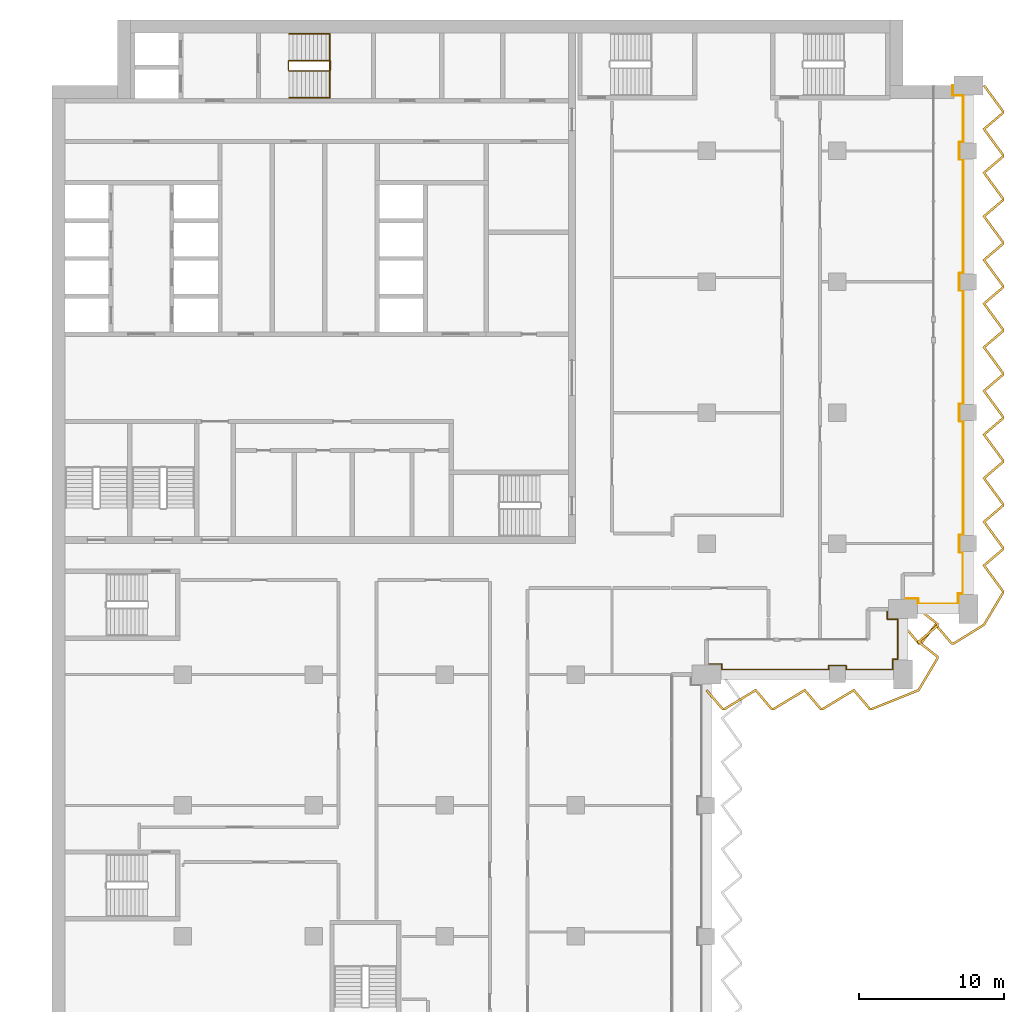
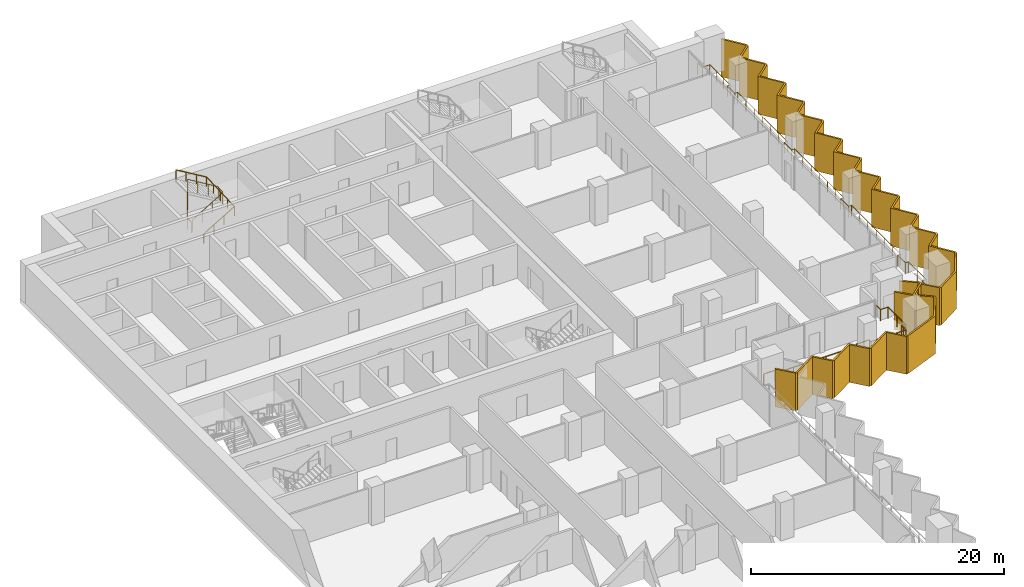
# One storey, part 22 of 23: 4 railings, 2 shading devices.
"""IFC4 building model written with IfcOpenShell, lengths in metres."""

from ifc_helpers import new_model, si_unit, direction, frame, origin, origin_2d, place, context, subcontext, project, spatial, polyline, circle, outline, extrude, material, layer, layer_set, type_object, element, save


model = new_model("IFC4")

# Units and contexts
model_context = context("Model", 3, precision=1e-05, world=origin(), true_north=direction((0.0, 1.0)))
body_context = subcontext(model_context, "Body", "Model", "MODEL_VIEW")
ifc_project = project(units=[si_unit("LENGTHUNIT", "METRE"), si_unit("AREAUNIT", "SQUARE_METRE"), si_unit("VOLUMEUNIT", "CUBIC_METRE"), si_unit("PLANEANGLEUNIT", "RADIAN"), si_unit("MASSUNIT", "GRAM", prefix="KILO")], contexts=[model_context])

# Site, building, storey
site_placement = place(None, origin())
site = spatial("IfcSite", under=ifc_project, at=site_placement, CompositionType="ELEMENT")
building_placement = place(site_placement, origin())
building = spatial("IfcBuilding", under=site, at=building_placement, Name="Hunhe Ridgeline Campus", CompositionType="ELEMENT")
storey_placement = place(building_placement, frame((0.0, 0.0, 152.300048828125)))
storey = spatial("IfcBuildingStorey", under=building, at=storey_placement, Name="L38", CompositionType="ELEMENT", Elevation=152.300048828125)

# Railings
ifc_material_1 = material(Name="Steel Q355", Category="steel")
railing_type_1 = type_object("IfcRailingType", Name="Loggia guard 1100 Steel Q355", PredefinedType="GUARDRAIL", material=ifc_material_1)
railing_1_placement = place(storey_placement, frame((45.0, 54.719970703125, 0.0)))
element("IfcRailing", 1, at=railing_1_placement, inside=storey, type_object=railing_type_1, Name="Loggia guard 2", PredefinedType="GUARDRAIL", context=body_context, shape_type="SweptSolid", body=[
    extrude(circle(Radius=0.02392578125, at=origin_2d()), frame((0.0, 0.0, 1.076171875), z_axis=(1.0, 0.0, 0.0), x_axis=(0.0, 1.0, 0.0)), (0.0, 0.0, 1.0), 1.050048828125),
    extrude(circle(Radius=0.02392578125, at=origin_2d()), frame((1.050048828125, 0.0, 1.076171875), z_axis=(0.0, -1.0, 0.0), x_axis=(1.0, 0.0, 0.0)), (0.0, 0.0, 1.0), 0.369873046875),
    extrude(circle(Radius=0.02392578125, at=origin_2d()), frame((1.050048828125, -0.369873046875, 1.076171875), z_axis=(1.0, 0.0, 0.0), x_axis=(0.0, 1.0, 0.0)), (0.0, 0.0, 1.0), 7.349853515625),
    extrude(circle(Radius=0.02392578125, at=origin_2d()), frame((8.39990234375, -0.369873046875, 1.076171875), z_axis=(0.0, 1.0, 0.0), x_axis=(-1.0, 0.0, 0.0)), (0.0, 0.0, 1.0), 0.27001953125),
    extrude(circle(Radius=0.02392578125, at=origin_2d()), frame((8.39990234375, -0.099853515625, 1.076171875), z_axis=(1.0, 0.0, 0.0), x_axis=(0.0, 1.0, 0.0)), (0.0, 0.0, 1.0), 1.2001953125),
    extrude(circle(Radius=0.02392578125, at=origin_2d()), frame((9.60009765625, -0.099853515625, 1.076171875), z_axis=(0.0, -1.0, 0.0), x_axis=(1.0, 0.0, 0.0)), (0.0, 0.0, 1.0), 0.27001953125),
    extrude(circle(Radius=0.02392578125, at=origin_2d()), frame((9.60009765625, -0.369873046875, 1.076171875), z_axis=(1.0, 0.0, 0.0), x_axis=(0.0, 1.0, 0.0)), (0.0, 0.0, 1.0), 3.199951171875),
    extrude(circle(Radius=0.02392578125, at=origin_2d()), frame((12.800048828125, -0.369873046875, 1.076171875), z_axis=(0.0, 1.0, 0.0), x_axis=(-1.0, 0.0, 0.0)), (0.0, 0.0, 1.0), 0.719970703125),
    extrude(circle(Radius=0.02392578125, at=origin_2d()), frame((12.800048828125, 0.35009765625, 1.076171875), z_axis=(-0.057089444596, -0.998369067688, 0.0), x_axis=(0.998369067688, -0.057089444596, 0.0)), (0.0, 0.0, 1.0), 0.3505859375),
    extrude(circle(Radius=0.02392578125, at=origin_2d()), frame((12.780029296875, 0.0, 1.076171875), z_axis=(0.0, 1.0, 0.0), x_axis=(-1.0, 0.0, 0.0)), (0.0, 0.0, 1.0), 0.330078125),
    extrude(circle(Radius=0.02392578125, at=origin_2d()), frame((12.780029296875, 0.330078125, 1.076171875), z_axis=(1.0, 0.0, 0.0), x_axis=(0.0, 1.0, 0.0)), (0.0, 0.0, 1.0), 0.369873046875),
    extrude(circle(Radius=0.02392578125, at=origin_2d()), frame((13.14990234375, 0.330078125, 1.076171875), z_axis=(0.0, 1.0, 0.0), x_axis=(-1.0, 0.0, 0.0)), (0.0, 0.0, 1.0), 2.75),
    extrude(circle(Radius=0.02392578125, at=origin_2d()), frame((13.14990234375, 3.080078125, 1.076171875), z_axis=(-1.0, 0.0, 0.0), x_axis=(0.0, -1.0, 0.0)), (0.0, 0.0, 1.0), 0.719970703125),
    extrude(circle(Radius=0.02392578125, at=origin_2d()), frame((12.429931640625, 3.080078125, 1.076171875), z_axis=(0.0, 1.0, 0.0), x_axis=(-1.0, 0.0, 0.0)), (0.0, 0.0, 1.0), 0.699951171875),
    extrude(circle(Radius=0.02099609375, at=origin_2d()), origin(), (0.0, 0.0, 1.0), 1.052001953125),
    extrude(circle(Radius=0.02099609375, at=origin_2d()), frame((1.050048828125, 0.0, 0.0)), (0.0, 0.0, 1.0), 1.052001953125),
    extrude(circle(Radius=0.02099609375, at=origin_2d()), frame((1.050048828125, -0.369873046875, 0.0)), (0.0, 0.0, 1.0), 1.052001953125),
    extrude(circle(Radius=0.02099609375, at=origin_2d()), frame((2.52001953125, -0.369873046875, 0.0)), (0.0, 0.0, 1.0), 1.052001953125),
    extrude(circle(Radius=0.02099609375, at=origin_2d()), frame((3.989990234375, -0.369873046875, 0.0)), (0.0, 0.0, 1.0), 1.052001953125),
    extrude(circle(Radius=0.02099609375, at=origin_2d()), frame((5.4599609375, -0.369873046875, 0.0)), (0.0, 0.0, 1.0), 1.052001953125),
    extrude(circle(Radius=0.02099609375, at=origin_2d()), frame((6.929931640625, -0.369873046875, 0.0)), (0.0, 0.0, 1.0), 1.052001953125),
    extrude(circle(Radius=0.02099609375, at=origin_2d()), frame((8.39990234375, -0.369873046875, 0.0)), (0.0, 0.0, 1.0), 1.052001953125),
    extrude(circle(Radius=0.02099609375, at=origin_2d()), frame((8.39990234375, -0.099853515625, 0.0)), (0.0, 0.0, 1.0), 1.052001953125),
    extrude(circle(Radius=0.02099609375, at=origin_2d()), frame((9.60009765625, -0.099853515625, 0.0)), (0.0, 0.0, 1.0), 1.052001953125),
    extrude(circle(Radius=0.02099609375, at=origin_2d()), frame((9.60009765625, -0.369873046875, 0.0)), (0.0, 0.0, 1.0), 1.052001953125),
    extrude(circle(Radius=0.02099609375, at=origin_2d()), frame((10.666748046875, -0.369873046875, 0.0)), (0.0, 0.0, 1.0), 1.052001953125),
    extrude(circle(Radius=0.02099609375, at=origin_2d()), frame((11.7333984375, -0.369873046875, 0.0)), (0.0, 0.0, 1.0), 1.052001953125),
    extrude(circle(Radius=0.02099609375, at=origin_2d()), frame((12.800048828125, -0.369873046875, 0.0)), (0.0, 0.0, 1.0), 1.052001953125),
    extrude(circle(Radius=0.02099609375, at=origin_2d()), frame((12.800048828125, 0.35009765625, 0.0)), (0.0, 0.0, 1.0), 1.052001953125),
    extrude(circle(Radius=0.02099609375, at=origin_2d()), frame((12.780029296875, 0.0, 0.0)), (0.0, 0.0, 1.0), 1.052001953125),
    extrude(circle(Radius=0.02099609375, at=origin_2d()), frame((12.780029296875, 0.330078125, 0.0)), (0.0, 0.0, 1.0), 1.052001953125),
    extrude(circle(Radius=0.02099609375, at=origin_2d()), frame((13.14990234375, 0.330078125, 0.0)), (0.0, 0.0, 1.0), 1.052001953125),
    extrude(circle(Radius=0.02099609375, at=origin_2d()), frame((13.14990234375, 1.705078125, 0.0)), (0.0, 0.0, 1.0), 1.052001953125),
    extrude(circle(Radius=0.02099609375, at=origin_2d()), frame((13.14990234375, 3.080078125, 0.0)), (0.0, 0.0, 1.0), 1.052001953125),
    extrude(circle(Radius=0.02099609375, at=origin_2d()), frame((12.429931640625, 3.080078125, 0.0)), (0.0, 0.0, 1.0), 1.052001953125),
    extrude(circle(Radius=0.02099609375, at=origin_2d()), frame((12.429931640625, 3.780029296875, 0.0)), (0.0, 0.0, 1.0), 1.052001953125),
])
railing_2_placement = place(storey_placement, frame((58.5, 59.219970703125, 0.0)))
element("IfcRailing", 2, at=railing_2_placement, inside=storey, type_object=railing_type_1, Name="Loggia guard 3", PredefinedType="GUARDRAIL", context=body_context, shape_type="SweptSolid", body=[
    extrude(circle(Radius=0.02392578125, at=origin_2d()), frame((0.0, 0.0, 1.076171875), z_axis=(1.0, 0.0, 0.0), x_axis=(0.0, 1.0, 0.0)), (0.0, 0.0, 1.0), 1.050048828125),
    extrude(circle(Radius=0.02392578125, at=origin_2d()), frame((1.050048828125, 0.0, 1.076171875), z_axis=(0.0, -1.0, 0.0), x_axis=(1.0, 0.0, 0.0)), (0.0, 0.0, 1.0), 0.369873046875),
    extrude(circle(Radius=0.02392578125, at=origin_2d()), frame((1.050048828125, -0.369873046875, 1.076171875), z_axis=(1.0, 0.0, 0.0), x_axis=(0.0, 1.0, 0.0)), (0.0, 0.0, 1.0), 2.75),
    extrude(circle(Radius=0.02392578125, at=origin_2d()), frame((3.800048828125, -0.369873046875, 1.076171875), z_axis=(0.0, 1.0, 0.0), x_axis=(-1.0, 0.0, 0.0)), (0.0, 0.0, 1.0), 0.719970703125),
    extrude(circle(Radius=0.02392578125, at=origin_2d()), frame((3.800048828125, 0.35009765625, 1.076171875), z_axis=(-0.057089444596, -0.998369067688, 0.0), x_axis=(0.998369067688, -0.057089444596, 0.0)), (0.0, 0.0, 1.0), 0.3505859375),
    extrude(circle(Radius=0.02392578125, at=origin_2d()), frame((3.780029296875, 0.0, 1.076171875), z_axis=(0.0, 1.0, 0.0), x_axis=(-1.0, 0.0, 0.0)), (0.0, 0.0, 1.0), 0.330078125),
    extrude(circle(Radius=0.02392578125, at=origin_2d()), frame((3.780029296875, 0.330078125, 1.076171875), z_axis=(1.0, 0.0, 0.0), x_axis=(0.0, 1.0, 0.0)), (0.0, 0.0, 1.0), 0.369873046875),
    extrude(circle(Radius=0.02392578125, at=origin_2d()), frame((4.14990234375, 0.330078125, 1.076171875), z_axis=(0.0, 1.0, 0.0), x_axis=(-1.0, 0.0, 0.0)), (0.0, 0.0, 1.0), 2.849853515625),
    extrude(circle(Radius=0.02392578125, at=origin_2d()), frame((4.14990234375, 3.179931640625, 1.076171875), z_axis=(-1.0, 0.0, 0.0), x_axis=(0.0, -1.0, 0.0)), (0.0, 0.0, 1.0), 0.27001953125),
    extrude(circle(Radius=0.02392578125, at=origin_2d()), frame((3.8798828125, 3.179931640625, 1.076171875), z_axis=(0.0, 1.0, 0.0), x_axis=(-1.0, 0.0, 0.0)), (0.0, 0.0, 1.0), 1.2001953125),
    extrude(circle(Radius=0.02392578125, at=origin_2d()), frame((3.8798828125, 4.380126953125, 1.076171875), z_axis=(1.0, 0.0, 0.0), x_axis=(0.0, 1.0, 0.0)), (0.0, 0.0, 1.0), 0.27001953125),
    extrude(circle(Radius=0.02392578125, at=origin_2d()), frame((4.14990234375, 4.380126953125, 1.076171875), z_axis=(0.0, 1.0, 0.0), x_axis=(-1.0, 0.0, 0.0)), (0.0, 0.0, 1.0), 7.7998046875),
    extrude(circle(Radius=0.02392578125, at=origin_2d()), frame((4.14990234375, 12.179931640625, 1.076171875), z_axis=(-1.0, 0.0, 0.0), x_axis=(0.0, -1.0, 0.0)), (0.0, 0.0, 1.0), 0.27001953125),
    extrude(circle(Radius=0.02392578125, at=origin_2d()), frame((3.8798828125, 12.179931640625, 1.076171875), z_axis=(0.0, 1.0, 0.0), x_axis=(-1.0, 0.0, 0.0)), (0.0, 0.0, 1.0), 1.2001953125),
    extrude(circle(Radius=0.02392578125, at=origin_2d()), frame((3.8798828125, 13.380126953125, 1.076171875), z_axis=(1.0, 0.0, 0.0), x_axis=(0.0, 1.0, 0.0)), (0.0, 0.0, 1.0), 0.27001953125),
    extrude(circle(Radius=0.02392578125, at=origin_2d()), frame((4.14990234375, 13.380126953125, 1.076171875), z_axis=(0.0, 1.0, 0.0), x_axis=(-1.0, 0.0, 0.0)), (0.0, 0.0, 1.0), 7.7998046875),
    extrude(circle(Radius=0.02392578125, at=origin_2d()), frame((4.14990234375, 21.179931640625, 1.076171875), z_axis=(-1.0, 0.0, 0.0), x_axis=(0.0, -1.0, 0.0)), (0.0, 0.0, 1.0), 0.27001953125),
    extrude(circle(Radius=0.02392578125, at=origin_2d()), frame((3.8798828125, 21.179931640625, 1.076171875), z_axis=(0.0, 1.0, 0.0), x_axis=(-1.0, 0.0, 0.0)), (0.0, 0.0, 1.0), 1.2001953125),
    extrude(circle(Radius=0.02392578125, at=origin_2d()), frame((3.8798828125, 22.380126953125, 1.076171875), z_axis=(1.0, 0.0, 0.0), x_axis=(0.0, 1.0, 0.0)), (0.0, 0.0, 1.0), 0.27001953125),
    extrude(circle(Radius=0.02392578125, at=origin_2d()), frame((4.14990234375, 22.380126953125, 1.076171875), z_axis=(0.0, 1.0, 0.0), x_axis=(-1.0, 0.0, 0.0)), (0.0, 0.0, 1.0), 7.7998046875),
    extrude(circle(Radius=0.02392578125, at=origin_2d()), frame((4.14990234375, 30.179931640625, 1.076171875), z_axis=(-1.0, 0.0, 0.0), x_axis=(0.0, -1.0, 0.0)), (0.0, 0.0, 1.0), 0.27001953125),
    extrude(circle(Radius=0.02392578125, at=origin_2d()), frame((3.8798828125, 30.179931640625, 1.076171875), z_axis=(0.0, 1.0, 0.0), x_axis=(-1.0, 0.0, 0.0)), (0.0, 0.0, 1.0), 1.2001953125),
    extrude(circle(Radius=0.02392578125, at=origin_2d()), frame((3.8798828125, 31.380126953125, 1.076171875), z_axis=(1.0, 0.0, 0.0), x_axis=(0.0, 1.0, 0.0)), (0.0, 0.0, 1.0), 0.27001953125),
    extrude(circle(Radius=0.02392578125, at=origin_2d()), frame((4.14990234375, 31.380126953125, 1.076171875), z_axis=(0.0, 1.0, 0.0), x_axis=(-1.0, 0.0, 0.0)), (0.0, 0.0, 1.0), 3.199951171875),
    extrude(circle(Radius=0.02392578125, at=origin_2d()), frame((4.14990234375, 34.580078125, 1.076171875), z_axis=(-1.0, 0.0, 0.0), x_axis=(0.0, -1.0, 0.0)), (0.0, 0.0, 1.0), 0.719970703125),
    extrude(circle(Radius=0.02392578125, at=origin_2d()), frame((3.429931640625, 34.580078125, 1.076171875), z_axis=(0.0, 1.0, 0.0), x_axis=(-1.0, 0.0, 0.0)), (0.0, 0.0, 1.0), 0.699951171875),
    extrude(circle(Radius=0.02099609375, at=origin_2d()), origin(), (0.0, 0.0, 1.0), 1.052001953125),
    extrude(circle(Radius=0.02099609375, at=origin_2d()), frame((1.050048828125, 0.0, 0.0)), (0.0, 0.0, 1.0), 1.052001953125),
    extrude(circle(Radius=0.02099609375, at=origin_2d()), frame((1.050048828125, -0.369873046875, 0.0)), (0.0, 0.0, 1.0), 1.052001953125),
    extrude(circle(Radius=0.02099609375, at=origin_2d()), frame((2.425048828125, -0.369873046875, 0.0)), (0.0, 0.0, 1.0), 1.052001953125),
    extrude(circle(Radius=0.02099609375, at=origin_2d()), frame((3.800048828125, -0.369873046875, 0.0)), (0.0, 0.0, 1.0), 1.052001953125),
    extrude(circle(Radius=0.02099609375, at=origin_2d()), frame((3.800048828125, 0.35009765625, 0.0)), (0.0, 0.0, 1.0), 1.052001953125),
    extrude(circle(Radius=0.02099609375, at=origin_2d()), frame((3.780029296875, 0.0, 0.0)), (0.0, 0.0, 1.0), 1.052001953125),
    extrude(circle(Radius=0.02099609375, at=origin_2d()), frame((3.780029296875, 0.330078125, 0.0)), (0.0, 0.0, 1.0), 1.052001953125),
    extrude(circle(Radius=0.02099609375, at=origin_2d()), frame((4.14990234375, 0.330078125, 0.0)), (0.0, 0.0, 1.0), 1.052001953125),
    extrude(circle(Radius=0.02099609375, at=origin_2d()), frame((4.14990234375, 1.7548828125, 0.0)), (0.0, 0.0, 1.0), 1.052001953125),
    extrude(circle(Radius=0.02099609375, at=origin_2d()), frame((4.14990234375, 3.179931640625, 0.0)), (0.0, 0.0, 1.0), 1.052001953125),
    extrude(circle(Radius=0.02099609375, at=origin_2d()), frame((3.8798828125, 3.179931640625, 0.0)), (0.0, 0.0, 1.0), 1.052001953125),
    extrude(circle(Radius=0.02099609375, at=origin_2d()), frame((3.8798828125, 4.380126953125, 0.0)), (0.0, 0.0, 1.0), 1.052001953125),
    extrude(circle(Radius=0.02099609375, at=origin_2d()), frame((4.14990234375, 4.380126953125, 0.0)), (0.0, 0.0, 1.0), 1.052001953125),
    extrude(circle(Radius=0.02099609375, at=origin_2d()), frame((4.14990234375, 5.68017578125, 0.0)), (0.0, 0.0, 1.0), 1.052001953125),
    extrude(circle(Radius=0.02099609375, at=origin_2d()), frame((4.14990234375, 6.97998046875, 0.0)), (0.0, 0.0, 1.0), 1.052001953125),
    extrude(circle(Radius=0.02099609375, at=origin_2d()), frame((4.14990234375, 8.280029296875, 0.0)), (0.0, 0.0, 1.0), 1.052001953125),
    extrude(circle(Radius=0.02099609375, at=origin_2d()), frame((4.14990234375, 9.580078125, 0.0)), (0.0, 0.0, 1.0), 1.052001953125),
    extrude(circle(Radius=0.02099609375, at=origin_2d()), frame((4.14990234375, 10.8798828125, 0.0)), (0.0, 0.0, 1.0), 1.052001953125),
    extrude(circle(Radius=0.02099609375, at=origin_2d()), frame((4.14990234375, 12.179931640625, 0.0)), (0.0, 0.0, 1.0), 1.052001953125),
    extrude(circle(Radius=0.02099609375, at=origin_2d()), frame((3.8798828125, 12.179931640625, 0.0)), (0.0, 0.0, 1.0), 1.052001953125),
    extrude(circle(Radius=0.02099609375, at=origin_2d()), frame((3.8798828125, 13.380126953125, 0.0)), (0.0, 0.0, 1.0), 1.052001953125),
    extrude(circle(Radius=0.02099609375, at=origin_2d()), frame((4.14990234375, 13.380126953125, 0.0)), (0.0, 0.0, 1.0), 1.052001953125),
    extrude(circle(Radius=0.02099609375, at=origin_2d()), frame((4.14990234375, 14.68017578125, 0.0)), (0.0, 0.0, 1.0), 1.052001953125),
    extrude(circle(Radius=0.02099609375, at=origin_2d()), frame((4.14990234375, 15.97998046875, 0.0)), (0.0, 0.0, 1.0), 1.052001953125),
    extrude(circle(Radius=0.02099609375, at=origin_2d()), frame((4.14990234375, 17.280029296875, 0.0)), (0.0, 0.0, 1.0), 1.052001953125),
    extrude(circle(Radius=0.02099609375, at=origin_2d()), frame((4.14990234375, 18.580078125, 0.0)), (0.0, 0.0, 1.0), 1.052001953125),
    extrude(circle(Radius=0.02099609375, at=origin_2d()), frame((4.14990234375, 19.8798828125, 0.0)), (0.0, 0.0, 1.0), 1.052001953125),
    extrude(circle(Radius=0.02099609375, at=origin_2d()), frame((4.14990234375, 21.179931640625, 0.0)), (0.0, 0.0, 1.0), 1.052001953125),
    extrude(circle(Radius=0.02099609375, at=origin_2d()), frame((3.8798828125, 21.179931640625, 0.0)), (0.0, 0.0, 1.0), 1.052001953125),
    extrude(circle(Radius=0.02099609375, at=origin_2d()), frame((3.8798828125, 22.380126953125, 0.0)), (0.0, 0.0, 1.0), 1.052001953125),
    extrude(circle(Radius=0.02099609375, at=origin_2d()), frame((4.14990234375, 22.380126953125, 0.0)), (0.0, 0.0, 1.0), 1.052001953125),
    extrude(circle(Radius=0.02099609375, at=origin_2d()), frame((4.14990234375, 23.68017578125, 0.0)), (0.0, 0.0, 1.0), 1.052001953125),
    extrude(circle(Radius=0.02099609375, at=origin_2d()), frame((4.14990234375, 24.97998046875, 0.0)), (0.0, 0.0, 1.0), 1.052001953125),
    extrude(circle(Radius=0.02099609375, at=origin_2d()), frame((4.14990234375, 26.280029296875, 0.0)), (0.0, 0.0, 1.0), 1.052001953125),
    extrude(circle(Radius=0.02099609375, at=origin_2d()), frame((4.14990234375, 27.580078125, 0.0)), (0.0, 0.0, 1.0), 1.052001953125),
    extrude(circle(Radius=0.02099609375, at=origin_2d()), frame((4.14990234375, 28.8798828125, 0.0)), (0.0, 0.0, 1.0), 1.052001953125),
    extrude(circle(Radius=0.02099609375, at=origin_2d()), frame((4.14990234375, 30.179931640625, 0.0)), (0.0, 0.0, 1.0), 1.052001953125),
    extrude(circle(Radius=0.02099609375, at=origin_2d()), frame((3.8798828125, 30.179931640625, 0.0)), (0.0, 0.0, 1.0), 1.052001953125),
    extrude(circle(Radius=0.02099609375, at=origin_2d()), frame((3.8798828125, 31.380126953125, 0.0)), (0.0, 0.0, 1.0), 1.052001953125),
    extrude(circle(Radius=0.02099609375, at=origin_2d()), frame((4.14990234375, 31.380126953125, 0.0)), (0.0, 0.0, 1.0), 1.052001953125),
    extrude(circle(Radius=0.02099609375, at=origin_2d()), frame((4.14990234375, 32.44677734375, 0.0)), (0.0, 0.0, 1.0), 1.052001953125),
    extrude(circle(Radius=0.02099609375, at=origin_2d()), frame((4.14990234375, 33.513427734375, 0.0)), (0.0, 0.0, 1.0), 1.052001953125),
    extrude(circle(Radius=0.02099609375, at=origin_2d()), frame((4.14990234375, 34.580078125, 0.0)), (0.0, 0.0, 1.0), 1.052001953125),
    extrude(circle(Radius=0.02099609375, at=origin_2d()), frame((3.429931640625, 34.580078125, 0.0)), (0.0, 0.0, 1.0), 1.052001953125),
    extrude(circle(Radius=0.02099609375, at=origin_2d()), frame((3.429931640625, 35.280029296875, 0.0)), (0.0, 0.0, 1.0), 1.052001953125),
])

# Shading devices
ifc_material_2 = material(Name="Concrete C50", Category="concrete")
ifc_layer = layer(ifc_material_2, 0.14990234375)
ifc_layer_set = layer_set([ifc_layer], Name="Sawtooth concrete fin 150 Concrete C50")
shading_device_type = type_object("IfcShadingDeviceType", Name="Sawtooth concrete fin 150 Concrete C50", PredefinedType="USERDEFINED", material=ifc_layer_set)
shading_device_1_placement = place(storey_placement, frame((0.0, 0.0, -0.949951171875)))
element("IfcShadingDevice", 3, at=shading_device_1_placement, inside=storey, type_object=shading_device_type, Name="Concrete fin screen 2", ObjectType="FIN", PredefinedType="USERDEFINED", context=body_context, shape_type="SweptSolid", body=[
    extrude(outline(polyline([(45.05712890625, 52.9736328125), (44.94287109375, 52.876220703125), (46.07470703125, 51.550048828125), (46.250244140625, 51.550048828125), (48.359375, 52.827880859375), (49.44970703125, 51.550048828125), (49.625244140625, 51.550048828125), (51.734375, 52.827880859375), (52.82470703125, 51.550048828125), (53.000244140625, 51.550048828125), (55.109375, 52.827880859375), (56.19970703125, 51.550048828125), (56.368896484375, 51.550048828125), (59.62646484375, 52.864990234375), (60.949951171875, 55.088623046875), (60.949951171875, 55.265869140625), (59.693359375, 56.25244140625), (60.949951171875, 57.32470703125), (60.949951171875, 57.515869140625), (59.621337890625, 58.55908203125), (59.528564453125, 58.44091796875), (60.800048828125, 57.44287109375), (60.800048828125, 57.393798828125), (59.45654296875, 56.24755859375), (60.800048828125, 55.19287109375), (60.800048828125, 55.1298828125), (59.5234375, 52.985107421875), (56.33984375, 51.699951171875), (56.268798828125, 51.699951171875), (55.140625, 53.022216796875), (52.95849609375, 51.699951171875), (52.893798828125, 51.699951171875), (51.765625, 53.022216796875), (49.58349609375, 51.699951171875), (49.518798828125, 51.699951171875), (48.390625, 53.022216796875), (46.20849609375, 51.699951171875), (46.143798828125, 51.699951171875), (45.05712890625, 52.9736328125)])), origin(), (0.0, 0.0, 1.0), 3.64990234375),
])
shading_device_2_placement = place(storey_placement, frame((0.0, 0.0, -0.949951171875)))
element("IfcShadingDevice", 4, at=shading_device_2_placement, inside=storey, type_object=shading_device_type, Name="Concrete fin screen 3", ObjectType="FIN", PredefinedType="USERDEFINED", context=body_context, shape_type="SweptSolid", body=[
    extrude(outline(polyline([(58.55712890625, 57.4736328125), (58.44287109375, 57.376220703125), (59.57470703125, 56.050048828125), (59.765869140625, 56.050048828125), (60.75244140625, 57.306640625), (61.82470703125, 56.050048828125), (62.000732421875, 56.050048828125), (64.130126953125, 57.370849609375), (65.449951171875, 59.588623046875), (65.449951171875, 59.75390625), (64.1767578125, 61.48828125), (65.449951171875, 62.57470703125), (65.449951171875, 62.75390625), (64.1767578125, 64.48828125), (65.449951171875, 65.57470703125), (65.449951171875, 65.75390625), (64.1767578125, 67.48828125), (65.449951171875, 68.57470703125), (65.449951171875, 68.75390625), (64.1767578125, 70.48828125), (65.449951171875, 71.57470703125), (65.449951171875, 71.75390625), (64.1767578125, 73.48828125), (65.449951171875, 74.57470703125), (65.449951171875, 74.75390625), (64.1767578125, 76.48828125), (65.449951171875, 77.57470703125), (65.449951171875, 77.75390625), (64.1767578125, 79.48828125), (65.449951171875, 80.57470703125), (65.449951171875, 80.75390625), (64.1767578125, 82.48828125), (65.449951171875, 83.57470703125), (65.449951171875, 83.75390625), (64.1767578125, 85.48828125), (65.449951171875, 86.57470703125), (65.449951171875, 86.75390625), (64.1767578125, 88.48828125), (65.449951171875, 89.57470703125), (65.449951171875, 89.75390625), (64.1767578125, 91.48828125), (65.449951171875, 92.57470703125), (65.449951171875, 92.75390625), (64.135498046875, 94.54443359375), (64.0146484375, 94.45556640625), (65.300048828125, 92.704833984375), (65.300048828125, 92.643798828125), (63.973388671875, 91.51171875), (65.300048828125, 89.704833984375), (65.300048828125, 89.643798828125), (63.973388671875, 88.51171875), (65.300048828125, 86.704833984375), (65.300048828125, 86.643798828125), (63.973388671875, 85.51171875), (65.300048828125, 83.704833984375), (65.300048828125, 83.643798828125), (63.973388671875, 82.51171875), (65.300048828125, 80.704833984375), (65.300048828125, 80.643798828125), (63.973388671875, 79.51171875), (65.300048828125, 77.704833984375), (65.300048828125, 77.643798828125), (63.973388671875, 76.51171875), (65.300048828125, 74.704833984375), (65.300048828125, 74.643798828125), (63.973388671875, 73.51171875), (65.300048828125, 71.704833984375), (65.300048828125, 71.643798828125), (63.973388671875, 70.51171875), (65.300048828125, 68.704833984375), (65.300048828125, 68.643798828125), (63.973388671875, 67.51171875), (65.300048828125, 65.704833984375), (65.300048828125, 65.643798828125), (63.973388671875, 64.51171875), (65.300048828125, 62.704833984375), (65.300048828125, 62.643798828125), (63.973388671875, 61.51171875), (65.300048828125, 59.704833984375), (65.300048828125, 59.6298828125), (64.02001953125, 57.47900390625), (61.9580078125, 56.199951171875), (61.893798828125, 56.199951171875), (60.74755859375, 57.54345703125), (59.69287109375, 56.199951171875), (59.643798828125, 56.199951171875), (58.55712890625, 57.4736328125)])), origin(), (0.0, 0.0, 1.0), 3.64990234375),
])

# Railings
ifc_material_3 = material(Name="Stainless steel balustrade", Category="steel")
railing_type_2 = type_object("IfcRailingType", Name="Stair guard 1100 stainless", PredefinedType="GUARDRAIL", material=ifc_material_3)
railing_3_placement = place(storey_placement, frame((16.300048828125, 95.5, 0.168212890625)))
element("IfcRailing", 5, at=railing_3_placement, inside=storey, type_object=railing_type_2, Name="L38 stair S1 guard", PredefinedType="GUARDRAIL", context=body_context, shape_type="SweptSolid", body=[
    extrude(circle(Radius=0.02392578125, at=origin_2d()), frame((0.0, 0.0, 1.076171875), z_axis=(0.857275202839, 0.0, 0.514858452973), x_axis=(0.0, 1.0, 0.0)), (0.0, 0.0, 1.0), 3.26611328125),
    extrude(circle(Radius=0.02392578125, at=origin_2d()), frame((2.800048828125, 0.0, 2.7578125), z_axis=(0.705375805398, 0.708833529934, 0.0), x_axis=(-0.708833529934, 0.705375805398, 0.0)), (0.0, 0.0, 1.0), 0.070556640625),
    extrude(circle(Radius=0.02392578125, at=origin_2d()), frame((2.849853515625, 0.050048828125, 2.7578125), z_axis=(0.0, 1.0, 0.0), x_axis=(-1.0, 0.0, 0.0)), (0.0, 0.0, 1.0), 0.599853515625),
    extrude(circle(Radius=0.02392578125, at=origin_2d()), frame((2.849853515625, 0.64990234375, 2.7578125), z_axis=(-0.273006030465, 0.27434429532, 0.922064485248), x_axis=(-0.708833529934, -0.705375805398, 0.0)), (0.0, 0.0, 1.0), 0.182373046875),
    extrude(circle(Radius=0.02392578125, at=origin_2d()), frame((2.800048828125, 0.699951171875, 2.92578125), z_axis=(-0.857242210791, 0.0, 0.514913383045), x_axis=(0.0, -1.0, 0.0)), (0.0, 0.0, 1.0), 3.266357421875),
    extrude(circle(Radius=0.02392578125, at=origin_2d()), frame((0.0, 0.699951171875, 4.60791015625), z_axis=(-0.013524414389, -0.013524414389, -0.999817073484), x_axis=(0.707106781187, -0.707106781187, 0.0)), (0.0, 0.0, 1.0), 3.70068359375),
    extrude(circle(Radius=0.02392578125, at=origin_2d()), frame((-0.050048828125, 0.64990234375, 0.90771484375), z_axis=(0.0, -1.0, 0.0), x_axis=(1.0, 0.0, 0.0)), (0.0, 0.0, 1.0), 0.599853515625),
    extrude(circle(Radius=0.02099609375, at=origin_2d()), origin(), (0.0, 0.0, 1.0), 1.052001953125),
    extrude(circle(Radius=0.02099609375, at=origin_2d()), frame((0.933349609375, 0.0, 0.560546875)), (0.0, 0.0, 1.0), 1.052001953125),
    extrude(circle(Radius=0.02099609375, at=origin_2d()), frame((1.86669921875, 0.0, 1.12109375)), (0.0, 0.0, 1.0), 1.052001953125),
    extrude(circle(Radius=0.02099609375, at=origin_2d()), frame((2.800048828125, 0.0, 1.681640625)), (0.0, 0.0, 1.0), 1.052001953125),
    extrude(circle(Radius=0.02099609375, at=origin_2d()), frame((2.849853515625, 0.050048828125, 1.681640625)), (0.0, 0.0, 1.0), 1.052001953125),
    extrude(circle(Radius=0.02099609375, at=origin_2d()), frame((2.849853515625, 0.64990234375, 1.681640625)), (0.0, 0.0, 1.0), 1.052001953125),
    extrude(circle(Radius=0.02099609375, at=origin_2d()), frame((2.800048828125, 0.699951171875, 1.849853515625)), (0.0, 0.0, 1.0), 1.052001953125),
    extrude(circle(Radius=0.02099609375, at=origin_2d()), frame((1.86669921875, 0.699951171875, 2.410400390625)), (0.0, 0.0, 1.0), 1.052001953125),
    extrude(circle(Radius=0.02099609375, at=origin_2d()), frame((0.933349609375, 0.699951171875, 2.97119140625)), (0.0, 0.0, 1.0), 1.052001953125),
    extrude(circle(Radius=0.02099609375, at=origin_2d()), frame((0.0, 0.699951171875, 3.53173828125)), (0.0, 0.0, 1.0), 1.052001953125),
    extrude(circle(Radius=0.02099609375, at=origin_2d()), frame((-0.012451171875, 0.6875, 2.606689453125)), (0.0, 0.0, 1.0), 1.052001953125),
    extrude(circle(Radius=0.02099609375, at=origin_2d()), frame((-0.02490234375, 0.6748046875, 1.681640625)), (0.0, 0.0, 1.0), 1.052001953125),
    extrude(circle(Radius=0.02099609375, at=origin_2d()), frame((-0.03759765625, 0.662353515625, 0.7568359375)), (0.0, 0.0, 1.0), 1.052001953125),
    extrude(circle(Radius=0.02099609375, at=origin_2d()), frame((-0.050048828125, 0.64990234375, -0.168212890625)), (0.0, 0.0, 1.0), 1.052001953125),
    extrude(circle(Radius=0.02099609375, at=origin_2d()), frame((-0.050048828125, 0.050048828125, -0.168212890625)), (0.0, 0.0, 1.0), 1.052001953125),
])
ifc_material_4 = material(Name="Stainless steel handrail", Category="steel")
railing_type_3 = type_object("IfcRailingType", Name="Stair handrail 900 stainless", PredefinedType="HANDRAIL", material=ifc_material_4)
railing_4_placement = place(storey_placement, frame((16.300048828125, 93.64990234375, 0.168212890625)))
element("IfcRailing", 6, at=railing_4_placement, inside=storey, type_object=railing_type_3, Name="L38 stair S1 handrail", PredefinedType="HANDRAIL", context=body_context, shape_type="SweptSolid", body=[
    extrude(circle(Radius=0.02392578125, at=origin_2d()), frame((0.0, 0.0, 0.8759765625), z_axis=(0.857275202839, 0.0, 0.514858452973), x_axis=(0.0, 1.0, 0.0)), (0.0, 0.0, 1.0), 3.26611328125),
    extrude(circle(Radius=0.02392578125, at=origin_2d()), frame((2.800048828125, 0.0, 2.5576171875), z_axis=(0.0, 0.999270074432, 0.038201025428), x_axis=(-1.0, 0.0, 0.0)), (0.0, 0.0, 1.0), 4.4033203125),
    extrude(circle(Radius=0.02392578125, at=origin_2d()), frame((2.800048828125, 4.400146484375, 2.7255859375), z_axis=(-0.857242210791, 0.0, 0.514913383045), x_axis=(0.0, -1.0, 0.0)), (0.0, 0.0, 1.0), 3.266357421875),
    extrude(circle(Radius=0.02099609375, at=origin_2d()), origin(), (0.0, 0.0, 1.0), 0.851806640625),
    extrude(circle(Radius=0.02099609375, at=origin_2d()), frame((0.933349609375, 0.0, 0.560546875)), (0.0, 0.0, 1.0), 0.851806640625),
    extrude(circle(Radius=0.02099609375, at=origin_2d()), frame((1.86669921875, 0.0, 1.12109375)), (0.0, 0.0, 1.0), 0.851806640625),
    extrude(circle(Radius=0.02099609375, at=origin_2d()), frame((2.800048828125, 0.0, 1.681640625)), (0.0, 0.0, 1.0), 0.851806640625),
    extrude(circle(Radius=0.02099609375, at=origin_2d()), frame((2.800048828125, 1.10009765625, 1.7236328125)), (0.0, 0.0, 1.0), 0.851806640625),
    extrude(circle(Radius=0.02099609375, at=origin_2d()), frame((2.800048828125, 2.2001953125, 1.765625)), (0.0, 0.0, 1.0), 0.851806640625),
    extrude(circle(Radius=0.02099609375, at=origin_2d()), frame((2.800048828125, 3.300048828125, 1.807861328125)), (0.0, 0.0, 1.0), 0.851806640625),
    extrude(circle(Radius=0.02099609375, at=origin_2d()), frame((2.800048828125, 4.400146484375, 1.849853515625)), (0.0, 0.0, 1.0), 0.851806640625),
    extrude(circle(Radius=0.02099609375, at=origin_2d()), frame((1.86669921875, 4.400146484375, 2.410400390625)), (0.0, 0.0, 1.0), 0.851806640625),
    extrude(circle(Radius=0.02099609375, at=origin_2d()), frame((0.933349609375, 4.400146484375, 2.97119140625)), (0.0, 0.0, 1.0), 0.851806640625),
    extrude(circle(Radius=0.02099609375, at=origin_2d()), frame((0.0, 4.400146484375, 3.53173828125)), (0.0, 0.0, 1.0), 0.851806640625),
])

save(model, "model.ifc")
